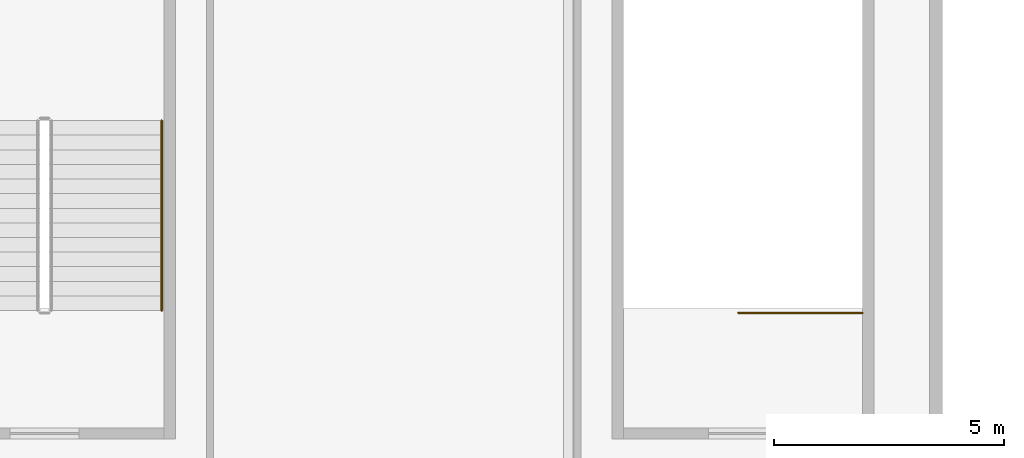
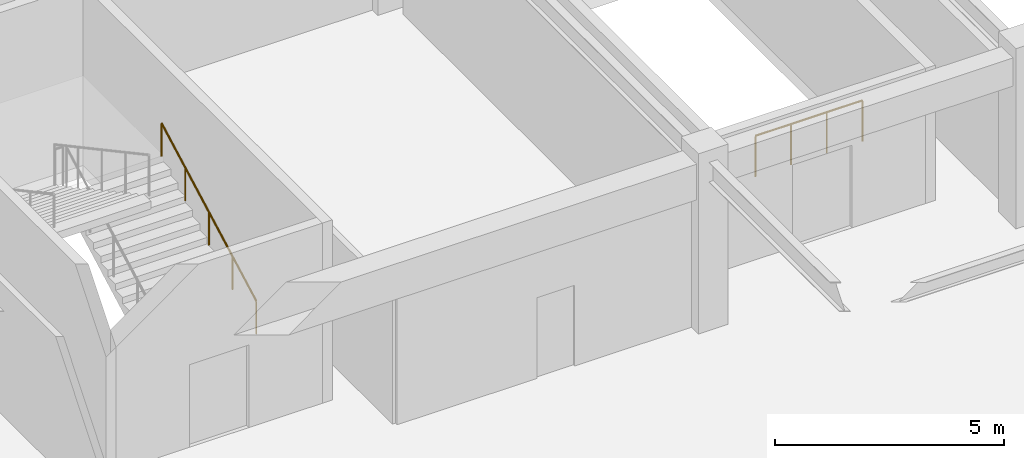
# One storey, part 112 of 112: 2 railings.
"""IFC4 building model written with IfcOpenShell, lengths in metres."""

from ifc_helpers import new_model, si_unit, direction, frame, origin, origin_2d, place, context, subcontext, project, spatial, circle, extrude, material, type_object, element, save


model = new_model("IFC4")

# Units and contexts
model_context = context("Model", 3, precision=1e-05, world=origin(), true_north=direction((0.0, 1.0)))
body_context = subcontext(model_context, "Body", "Model", "MODEL_VIEW")
ifc_project = project(units=[si_unit("LENGTHUNIT", "METRE"), si_unit("AREAUNIT", "SQUARE_METRE"), si_unit("VOLUMEUNIT", "CUBIC_METRE"), si_unit("PLANEANGLEUNIT", "RADIAN"), si_unit("MASSUNIT", "GRAM", prefix="KILO")], contexts=[model_context])

# Site, building, storey
site_placement = place(None, origin())
site = spatial("IfcSite", under=ifc_project, at=site_placement, CompositionType="ELEMENT")
building_placement = place(site_placement, origin())
building = spatial("IfcBuilding", under=site, at=building_placement, Name="Cuetzalor Civic Arena", CompositionType="ELEMENT")
storey_placement = place(building_placement, frame((0.0, 0.0, 11.39990234375)))
storey = spatial("IfcBuildingStorey", under=building, at=storey_placement, Name="L02", CompositionType="ELEMENT", Elevation=11.39990234375)

# Railings
ifc_material_1 = material(Name="Reseda-green architectural Steel S355 balustrade", Category="steel")
railing_type_1 = type_object("IfcRailingType", Name="InteriorVoidBalustrade_1100", PredefinedType="BALUSTRADE", material=ifc_material_1)
railing_1_placement = place(storey_placement, frame((70.39990234375, 65.699951171875, 0.0)))
element("IfcRailing", 1, at=railing_1_placement, inside=storey, type_object=railing_type_1, Name="L02 ST-28 top well guard 1", PredefinedType="BALUSTRADE", context=body_context, shape_type="SweptSolid", body=[
    extrude(circle(Radius=0.02392578125, at=origin_2d()), frame((0.0, 0.0, 1.0810546875), z_axis=(-1.0, 0.0, 0.0), x_axis=(0.0, -1.0, 0.0)), (0.0, 0.0, 1.0), 2.699951171875),
    extrude(circle(Radius=0.02099609375, at=origin_2d()), origin(), (0.0, 0.0, 1.0), 1.056884765625),
    extrude(circle(Radius=0.02099609375, at=origin_2d()), frame((-0.89990234375, 0.0, 0.0)), (0.0, 0.0, 1.0), 1.056884765625),
    extrude(circle(Radius=0.02099609375, at=origin_2d()), frame((-1.800048828125, 0.0, 0.0)), (0.0, 0.0, 1.0), 1.056884765625),
    extrude(circle(Radius=0.02099609375, at=origin_2d()), frame((-2.699951171875, 0.0, 0.0)), (0.0, 0.0, 1.0), 1.056884765625),
])
ifc_material_2 = material(Name="Galvanised steel S355", Category="steel")
railing_type_2 = type_object("IfcRailingType", Name="StairPitchHandrail_900", PredefinedType="HANDRAIL", material=ifc_material_2)
railing_2_placement = place(storey_placement, frame((55.14990234375, 65.75, 0.171630859375)))
element("IfcRailing", 2, at=railing_2_placement, inside=storey, type_object=railing_type_2, Name="L02 ST-27 stair handrail 1", PredefinedType="HANDRAIL", context=body_context, shape_type="SweptSolid", body=[
    extrude(circle(Radius=0.02392578125, at=origin_2d()), frame((0.0, 0.0, 0.8759765625), z_axis=(0.0, 0.880248997335, 0.474512068014), x_axis=(-1.0, 0.0, 0.0)), (0.0, 0.0, 1.0), 4.696533203125),
    extrude(circle(Radius=0.02099609375, at=origin_2d()), origin(), (0.0, 0.0, 1.0), 0.851806640625),
    extrude(circle(Radius=0.02099609375, at=origin_2d()), frame((0.0, 1.033447265625, 0.55712890625)), (0.0, 0.0, 1.0), 0.851806640625),
    extrude(circle(Radius=0.02099609375, at=origin_2d()), frame((0.0, 2.06689453125, 1.1142578125)), (0.0, 0.0, 1.0), 0.851806640625),
    extrude(circle(Radius=0.02099609375, at=origin_2d()), frame((0.0, 3.1005859375, 1.67138671875)), (0.0, 0.0, 1.0), 0.851806640625),
    extrude(circle(Radius=0.02099609375, at=origin_2d()), frame((0.0, 4.134033203125, 2.228515625)), (0.0, 0.0, 1.0), 0.851806640625),
])

save(model, "model.ifc")
